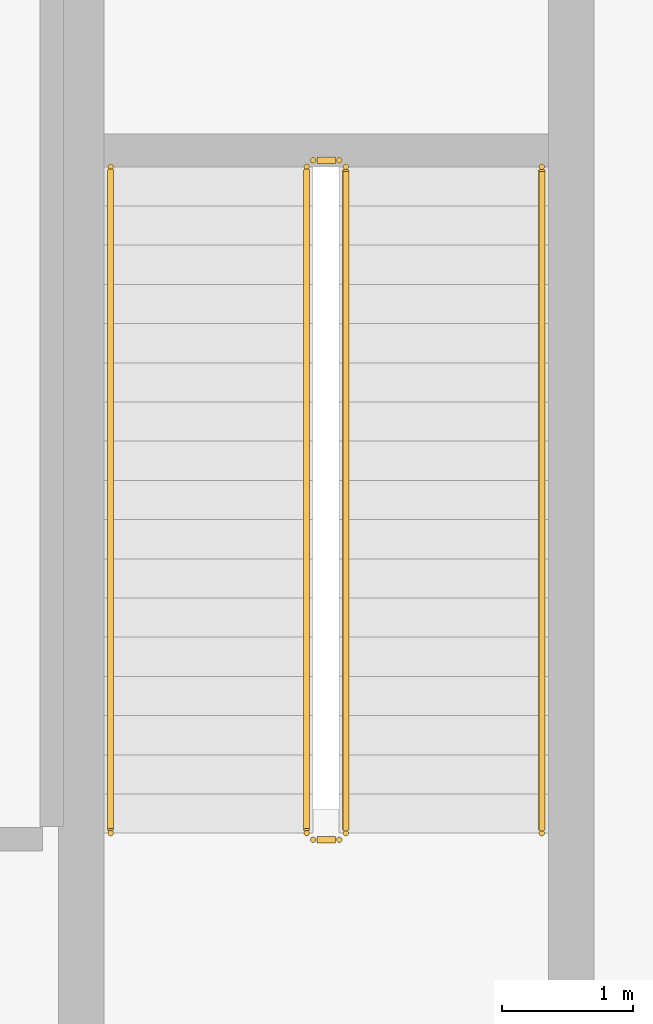
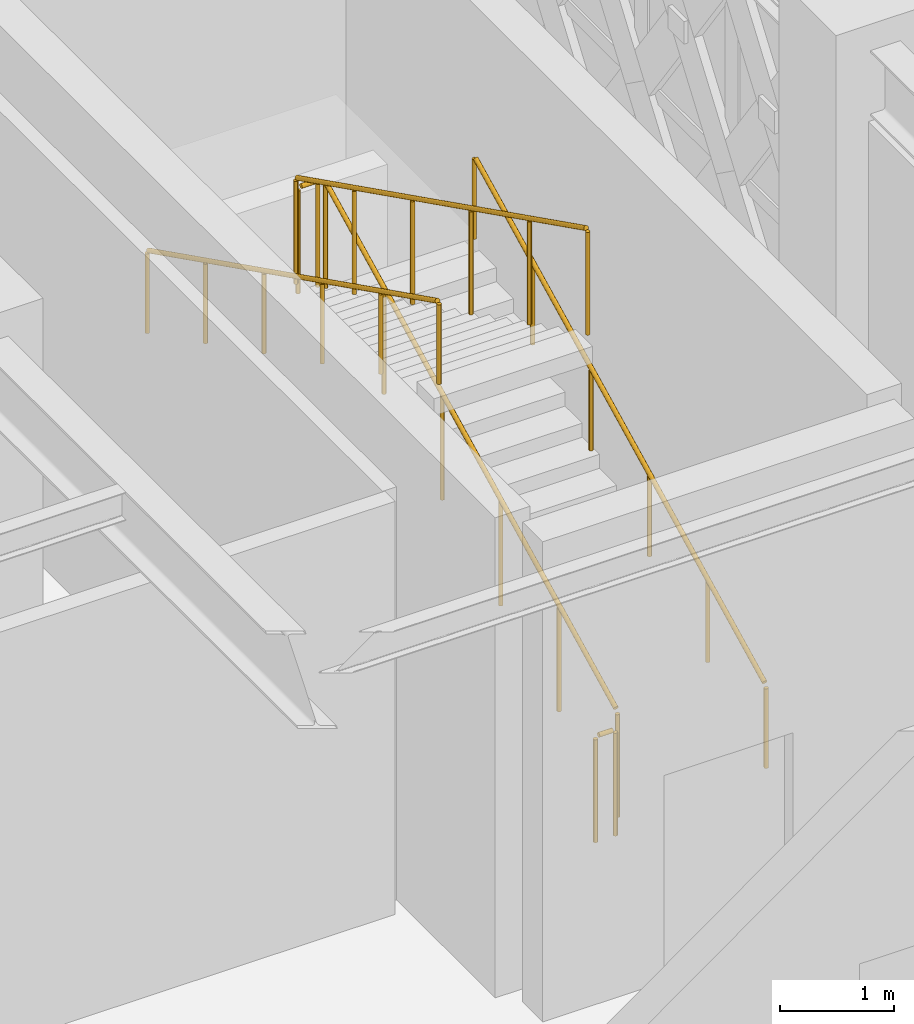
# One storey, part 128 of 140: 6 railings.
"""IFC4 building model written with IfcOpenShell, lengths in metres."""

from ifc_helpers import new_model, si_unit, direction, frame, origin, origin_2d, place, context, subcontext, project, spatial, circle, extrude, material, type_object, element, save


model = new_model("IFC4")

# Units and contexts
model_context = context("Model", 3, precision=1e-05, world=origin(), true_north=direction((0.0, 1.0)))
body_context = subcontext(model_context, "Body", "Model", "MODEL_VIEW")
ifc_project = project(units=[si_unit("LENGTHUNIT", "METRE"), si_unit("AREAUNIT", "SQUARE_METRE"), si_unit("VOLUMEUNIT", "CUBIC_METRE"), si_unit("PLANEANGLEUNIT", "RADIAN"), si_unit("MASSUNIT", "GRAM", prefix="KILO")], contexts=[model_context])

# Site, building, storey
site_placement = place(None, origin())
site = spatial("IfcSite", under=ifc_project, at=site_placement, CompositionType="ELEMENT")
building_placement = place(site_placement, origin())
building = spatial("IfcBuilding", under=site, at=building_placement, Name="Haizhuo Lancet Aquarium", CompositionType="ELEMENT")
storey_placement = place(building_placement, origin())
storey = spatial("IfcBuildingStorey", under=building, at=storey_placement, Name="L00", CompositionType="ELEMENT", Elevation=0.0)

# Railings
ifc_material = material(Name="Steel S355", Category="steel")
railing_type_1 = type_object("IfcRailingType", Name="RL-GRD-1150", PredefinedType="GUARDRAIL", material=ifc_material)
railing_1_placement = place(storey_placement, frame((-40.35009765625, -21.35009765625, 0.14990234375)))
element("IfcRailing", 1, at=railing_1_placement, inside=storey, type_object=railing_type_1, Name="L00 ST-09 stair guard 1", PredefinedType="GUARDRAIL", context=body_context, shape_type="SweptSolid", body=[
    extrude(circle(Radius=0.02392578125, at=origin_2d()), frame((0.0, 0.02685546875, 1.13916015625), z_axis=(0.0, 0.894427191, 0.4472135955), x_axis=(-1.0, 0.0, 0.0)), (0.0, 0.0, 1.0), 5.64208984375),
    extrude(circle(Radius=0.02099609375, at=origin_2d()), origin(), (0.0, 0.0, 1.0), 1.097900390625),
    extrude(circle(Radius=0.02099609375, at=origin_2d()), frame((0.0, 1.02001953125, 0.510009765625)), (0.0, 0.0, 1.0), 1.097900390625),
    extrude(circle(Radius=0.02099609375, at=origin_2d()), frame((0.0, 2.0400390625, 1.02001953125)), (0.0, 0.0, 1.0), 1.097900390625),
    extrude(circle(Radius=0.02099609375, at=origin_2d()), frame((0.0, 3.06005859375, 1.530029296875)), (0.0, 0.0, 1.0), 1.097900390625),
    extrude(circle(Radius=0.02099609375, at=origin_2d()), frame((0.0, 4.080078125, 2.0400390625)), (0.0, 0.0, 1.0), 1.097900390625),
    extrude(circle(Radius=0.02099609375, at=origin_2d()), frame((0.0, 5.10009765625, 2.550048828125)), (0.0, 0.0, 1.0), 1.097900390625),
])
railing_2_placement = place(storey_placement, frame((-40.39990234375, -16.199951171875, 2.699951171875)))
element("IfcRailing", 2, at=railing_2_placement, inside=storey, type_object=railing_type_1, Name="L00 ST-09 stair guard 2", PredefinedType="GUARDRAIL", context=body_context, shape_type="SweptSolid", body=[
    extrude(circle(Radius=0.02392578125, at=origin_2d()), frame((-0.030029296875, 0.0, 1.1259765625), z_axis=(-1.0, 0.0, 0.0), x_axis=(0.0, -1.0, 0.0)), (0.0, 0.0, 1.0), 0.14013671875),
    extrude(circle(Radius=0.02099609375, at=origin_2d()), origin(), (0.0, 0.0, 1.0), 1.097900390625),
    extrude(circle(Radius=0.02099609375, at=origin_2d()), frame((-0.2001953125, 0.0, 0.0)), (0.0, 0.0, 1.0), 1.097900390625),
])
railing_3_placement = place(storey_placement, frame((-40.64990234375, -16.25, 2.85009765625)))
element("IfcRailing", 3, at=railing_3_placement, inside=storey, type_object=railing_type_1, Name="L00 ST-09 stair guard 3", PredefinedType="GUARDRAIL", context=body_context, shape_type="SweptSolid", body=[
    extrude(circle(Radius=0.02392578125, at=origin_2d()), frame((0.0, -0.02685546875, 1.13916015625), z_axis=(0.0, -0.89444431709, 0.44717934168), x_axis=(1.0, 0.0, 0.0)), (0.0, 0.0, 1.0), 5.64208984375),
    extrude(circle(Radius=0.02099609375, at=origin_2d()), origin(), (0.0, 0.0, 1.0), 1.097900390625),
    extrude(circle(Radius=0.02099609375, at=origin_2d()), frame((0.0, -1.02001953125, 0.510009765625)), (0.0, 0.0, 1.0), 1.097900390625),
    extrude(circle(Radius=0.02099609375, at=origin_2d()), frame((0.0, -2.0400390625, 1.02001953125)), (0.0, 0.0, 1.0), 1.097900390625),
    extrude(circle(Radius=0.02099609375, at=origin_2d()), frame((0.0, -3.06005859375, 1.52978515625)), (0.0, 0.0, 1.0), 1.097900390625),
    extrude(circle(Radius=0.02099609375, at=origin_2d()), frame((0.0, -4.080078125, 2.039794921875)), (0.0, 0.0, 1.0), 1.097900390625),
    extrude(circle(Radius=0.02099609375, at=origin_2d()), frame((0.0, -5.10009765625, 2.5498046875)), (0.0, 0.0, 1.0), 1.097900390625),
])
railing_4_placement = place(storey_placement, frame((-40.39990234375, -21.39990234375, 0.0)))
element("IfcRailing", 4, at=railing_4_placement, inside=storey, type_object=railing_type_1, Name="L00 ST-09 stair guard 4", PredefinedType="GUARDRAIL", context=body_context, shape_type="SweptSolid", body=[
    extrude(circle(Radius=0.02392578125, at=origin_2d()), frame((-0.030029296875, 0.0, 1.1259765625), z_axis=(-1.0, 0.0, 0.0), x_axis=(0.0, -1.0, 0.0)), (0.0, 0.0, 1.0), 0.14013671875),
    extrude(circle(Radius=0.02099609375, at=origin_2d()), origin(), (0.0, 0.0, 1.0), 1.097900390625),
    extrude(circle(Radius=0.02099609375, at=origin_2d()), frame((-0.2001953125, 0.0, 0.0)), (0.0, 0.0, 1.0), 1.097900390625),
])
railing_type_2 = type_object("IfcRailingType", Name="RL-HDR-900", PredefinedType="HANDRAIL", material=ifc_material)
railing_5_placement = place(storey_placement, frame((-38.85009765625, -21.35009765625, 0.14990234375)))
element("IfcRailing", 5, at=railing_5_placement, inside=storey, type_object=railing_type_2, Name="L00 ST-09 pitch handrail 1", PredefinedType="HANDRAIL", context=body_context, shape_type="SweptSolid", body=[
    extrude(circle(Radius=0.02392578125, at=origin_2d()), frame((0.0, 0.02685546875, 0.88916015625), z_axis=(0.0, 0.894427191, 0.4472135955), x_axis=(-1.0, 0.0, 0.0)), (0.0, 0.0, 1.0), 5.64208984375),
    extrude(circle(Radius=0.02099609375, at=origin_2d()), origin(), (0.0, 0.0, 1.0), 0.847900390625),
    extrude(circle(Radius=0.02099609375, at=origin_2d()), frame((0.0, 1.02001953125, 0.510009765625)), (0.0, 0.0, 1.0), 0.847900390625),
    extrude(circle(Radius=0.02099609375, at=origin_2d()), frame((0.0, 2.0400390625, 1.02001953125)), (0.0, 0.0, 1.0), 0.847900390625),
    extrude(circle(Radius=0.02099609375, at=origin_2d()), frame((0.0, 3.06005859375, 1.530029296875)), (0.0, 0.0, 1.0), 0.847900390625),
    extrude(circle(Radius=0.02099609375, at=origin_2d()), frame((0.0, 4.080078125, 2.0400390625)), (0.0, 0.0, 1.0), 0.847900390625),
    extrude(circle(Radius=0.02099609375, at=origin_2d()), frame((0.0, 5.10009765625, 2.550048828125)), (0.0, 0.0, 1.0), 0.847900390625),
])
railing_6_placement = place(storey_placement, frame((-42.14990234375, -16.25, 2.85009765625)))
element("IfcRailing", 6, at=railing_6_placement, inside=storey, type_object=railing_type_2, Name="L00 ST-09 pitch handrail 2", PredefinedType="HANDRAIL", context=body_context, shape_type="SweptSolid", body=[
    extrude(circle(Radius=0.02392578125, at=origin_2d()), frame((0.0, -0.02685546875, 0.88916015625), z_axis=(0.0, -0.89444431709, 0.44717934168), x_axis=(1.0, 0.0, 0.0)), (0.0, 0.0, 1.0), 5.64208984375),
    extrude(circle(Radius=0.02099609375, at=origin_2d()), origin(), (0.0, 0.0, 1.0), 0.847900390625),
    extrude(circle(Radius=0.02099609375, at=origin_2d()), frame((0.0, -1.02001953125, 0.510009765625)), (0.0, 0.0, 1.0), 0.847900390625),
    extrude(circle(Radius=0.02099609375, at=origin_2d()), frame((0.0, -2.0400390625, 1.02001953125)), (0.0, 0.0, 1.0), 0.847900390625),
    extrude(circle(Radius=0.02099609375, at=origin_2d()), frame((0.0, -3.06005859375, 1.52978515625)), (0.0, 0.0, 1.0), 0.847900390625),
    extrude(circle(Radius=0.02099609375, at=origin_2d()), frame((0.0, -4.080078125, 2.039794921875)), (0.0, 0.0, 1.0), 0.847900390625),
    extrude(circle(Radius=0.02099609375, at=origin_2d()), frame((0.0, -5.10009765625, 2.5498046875)), (0.0, 0.0, 1.0), 0.847900390625),
])

save(model, "model.ifc")
